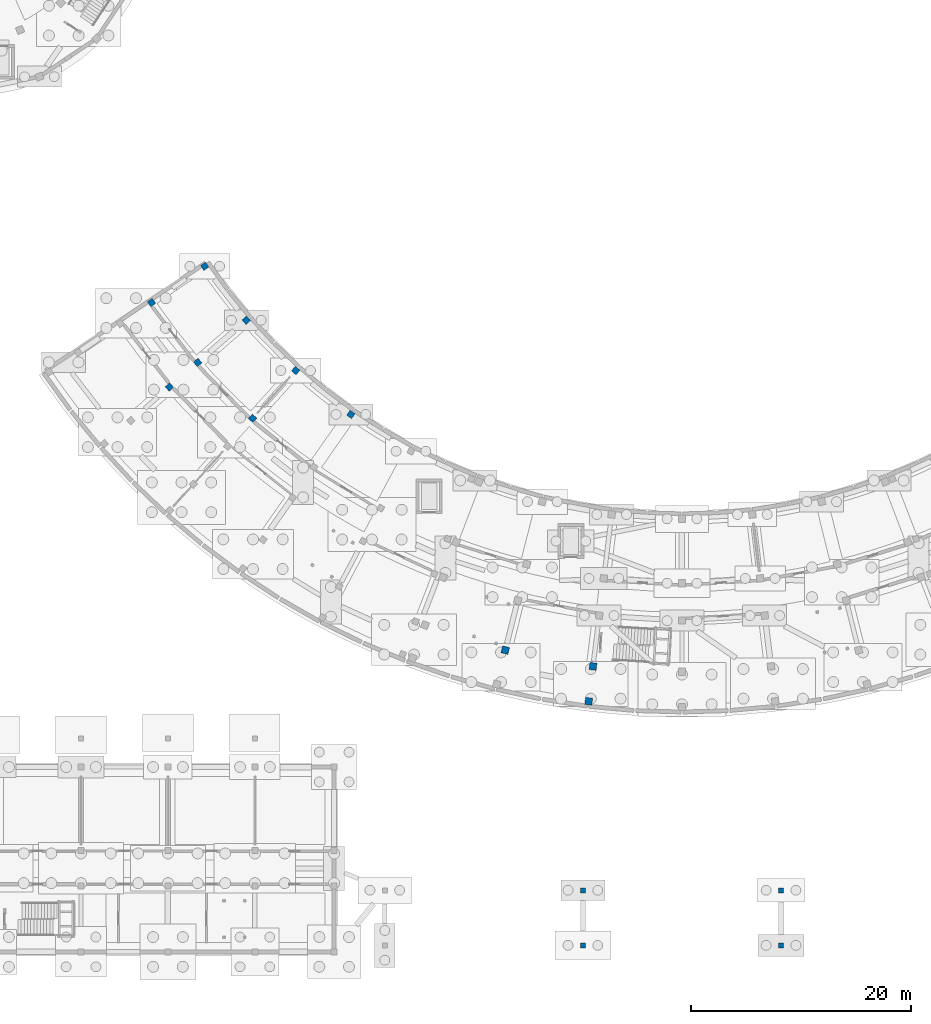
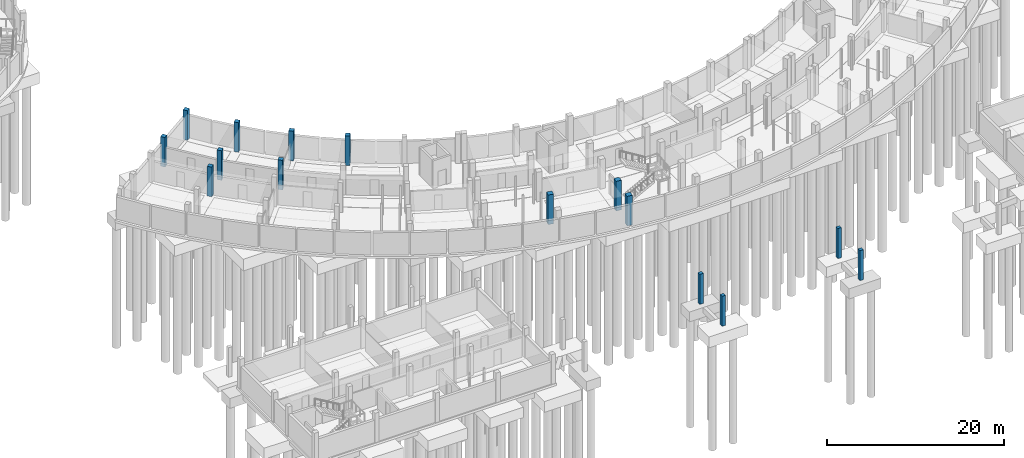
# One storey, part 15 of 58: 15 columns.
"""IFC4 building model written with IfcOpenShell, lengths in metres."""

from ifc_helpers import new_model, si_unit, direction, frame, origin, origin_2d, place, context, subcontext, project, spatial, rectangle, extrude, material, material_profile, profile_set, type_object, element, save


model = new_model("IFC4")

# Units and contexts
model_context = context("Model", 3, precision=1e-05, world=origin(), true_north=direction((0.0, 1.0)))
body_context = subcontext(model_context, "Body", "Model", "MODEL_VIEW")
ifc_project = project(units=[si_unit("LENGTHUNIT", "METRE"), si_unit("AREAUNIT", "SQUARE_METRE"), si_unit("VOLUMEUNIT", "CUBIC_METRE"), si_unit("PLANEANGLEUNIT", "RADIAN"), si_unit("MASSUNIT", "GRAM", prefix="KILO")], contexts=[model_context])

# Site, building, storey
site_placement = place(None, origin())
site = spatial("IfcSite", under=ifc_project, at=site_placement, CompositionType="ELEMENT")
building_placement = place(site_placement, origin())
building = spatial("IfcBuilding", under=site, at=building_placement, Name="Caldaven Crescent School", CompositionType="ELEMENT")
storey_placement = place(building_placement, frame((0.0, 0.0, -4.080078125)))
storey = spatial("IfcBuildingStorey", under=building, at=storey_placement, Name="B1", CompositionType="ELEMENT", Elevation=-4.080078125)

# Columns
ifc_material = material(Name="Concrete C35/45", Category="concrete")
ifc_material_profile_1 = material_profile(ifc_material, rectangle(XDim=0.449951171875, YDim=0.449951171875, at=origin_2d()), Name="RC 450x450")
ifc_profile_set_1 = profile_set([ifc_material_profile_1], Name="Concrete C35/45")
column_type_1 = type_object("IfcColumnType", Name="COL-RC45", PredefinedType="COLUMN", material=ifc_profile_set_1)
for number, where, z_axis, x_axis, name in (
    (1, (79.0, 4.800048828125, -0.2998046875), (0.0, 0.0, 1.0), (1.0, 0.0, 0.0), "COL-LOOP-B1-1-S"),
    (2, (79.0, 9.800048828125, -0.2998046875), (0.0, 0.0, 1.0), (1.0, 0.0, 0.0), "COL-LOOP-B1-1-N"),
    (3, (97.0, 4.800048828125, -0.2998046875), (0.0, 0.0, 1.0), (1.0, 0.0, 0.0), "COL-LOOP-B1-2-S"),
    (4, (97.0, 9.800048828125, -0.2998046875), (0.0, 0.0, 1.0), (1.0, 0.0, 0.0), "COL-LOOP-B1-2-N"),
):
    element("IfcColumn", number, at=place(storey_placement, frame(where, z_axis=z_axis, x_axis=x_axis)), inside=storey, type_object=column_type_1, Name=name, PredefinedType="COLUMN", context=body_context, shape_type="SweptSolid", body=[
        extrude(rectangle(XDim=0.449951171875, YDim=0.449951171875, at=origin_2d()), origin(), (0.0, 0.0, 1.0), 4.139892578125),
    ])
ifc_material_profile_2 = material_profile(ifc_material, rectangle(XDim=0.550048828125, YDim=0.550048828125, at=origin_2d()), Name="RC 550x550")
ifc_profile_set_2 = profile_set([ifc_material_profile_2], Name="Concrete C35/45")
column_type_2 = type_object("IfcColumnType", Name="COL-RC55", PredefinedType="COLUMN", material=ifc_profile_set_2)
for number, where, z_axis, x_axis, name in (
    (5, (44.637451171875, 66.492431640625, 0.0), (0.0, 0.0, 1.0), (-0.826786154745, -0.562516359159, 0.0), "COL-V4W-B1-00-0"),
    (6, (39.801025390625, 63.201171875, 0.0), (0.0, 0.0, 1.0), (-0.826786154745, -0.562516359159, 0.0), "COL-V4W-B1-00-1"),
    (7, (48.41552734375, 61.589599609375, 0.0), (0.0, 0.0, 1.0), (-0.754709580223, -0.656059028991, 0.0), "COL-V4W-B1-01-0"),
    (8, (44.00048828125, 57.751708984375, 0.0), (0.0, 0.0, 1.0), (-0.754709580223, -0.656059028991, 0.0), "COL-V4W-B1-01-1"),
    (9, (41.434326171875, 55.521240234375, 0.0), (0.0, 0.0, 1.0), (-0.754709580223, -0.656059028991, 0.0), "COL-V4W-B1-01-2"),
    (10, (52.904052734375, 57.02197265625, 0.0), (0.0, 0.0, 1.0), (-0.669130606359, -0.743144825477, 0.0), "COL-V4W-B1-02-0"),
    (11, (48.98974609375, 52.674560546875, 0.0), (0.0, 0.0, 1.0), (-0.669130606359, -0.743144825477, 0.0), "COL-V4W-B1-02-1"),
    (12, (57.916015625, 53.035400390625, 0.0), (0.0, 0.0, 1.0), (-0.573576436351, -0.819152044289, 0.0), "COL-V4W-B1-03-0"),
):
    element("IfcColumn", number, at=place(storey_placement, frame(where, z_axis=z_axis, x_axis=x_axis)), inside=storey, type_object=column_type_2, Name=name, PredefinedType="COLUMN", context=body_context, shape_type="SweptSolid", body=[
        extrude(rectangle(XDim=0.550048828125, YDim=0.550048828125, at=origin_2d()), origin(), (0.0, 0.0, 1.0), 4.080078125),
    ])
ifc_material_profile_3 = material_profile(ifc_material, rectangle(XDim=0.64990234375, YDim=0.64990234375, at=origin_2d()), Name="RC 650x650")
ifc_profile_set_3 = profile_set([ifc_material_profile_3], Name="Concrete C35/45")
column_type_3 = type_object("IfcColumnType", Name="COL-RC65", PredefinedType="COLUMN", material=ifc_profile_set_3)
for number, where, z_axis, x_axis, name in (
    (13, (71.948486328125, 31.620849609375, 0.0), (0.0, 0.0, 1.0), (-0.2419218956, -0.970295726276, 0.0), "COL-V5-B1-01-3"),
    (14, (79.9140625, 30.14453125, 0.0), (0.0, 0.0, 1.0), (-0.121869343405, -0.992546151641, 0.0), "COL-V5-B1-02-3"),
    (15, (79.52392578125, 26.968505859375, 0.0), (0.0, 0.0, 1.0), (-0.121869343405, -0.992546151641, 0.0), "COL-V5-B1-02-4"),
):
    element("IfcColumn", number, at=place(storey_placement, frame(where, z_axis=z_axis, x_axis=x_axis)), inside=storey, type_object=column_type_3, Name=name, PredefinedType="COLUMN", context=body_context, shape_type="SweptSolid", body=[
        extrude(rectangle(XDim=0.64990234375, YDim=0.64990234375, at=origin_2d()), origin(), (0.0, 0.0, 1.0), 4.080078125),
    ])

save(model, "model.ifc")
